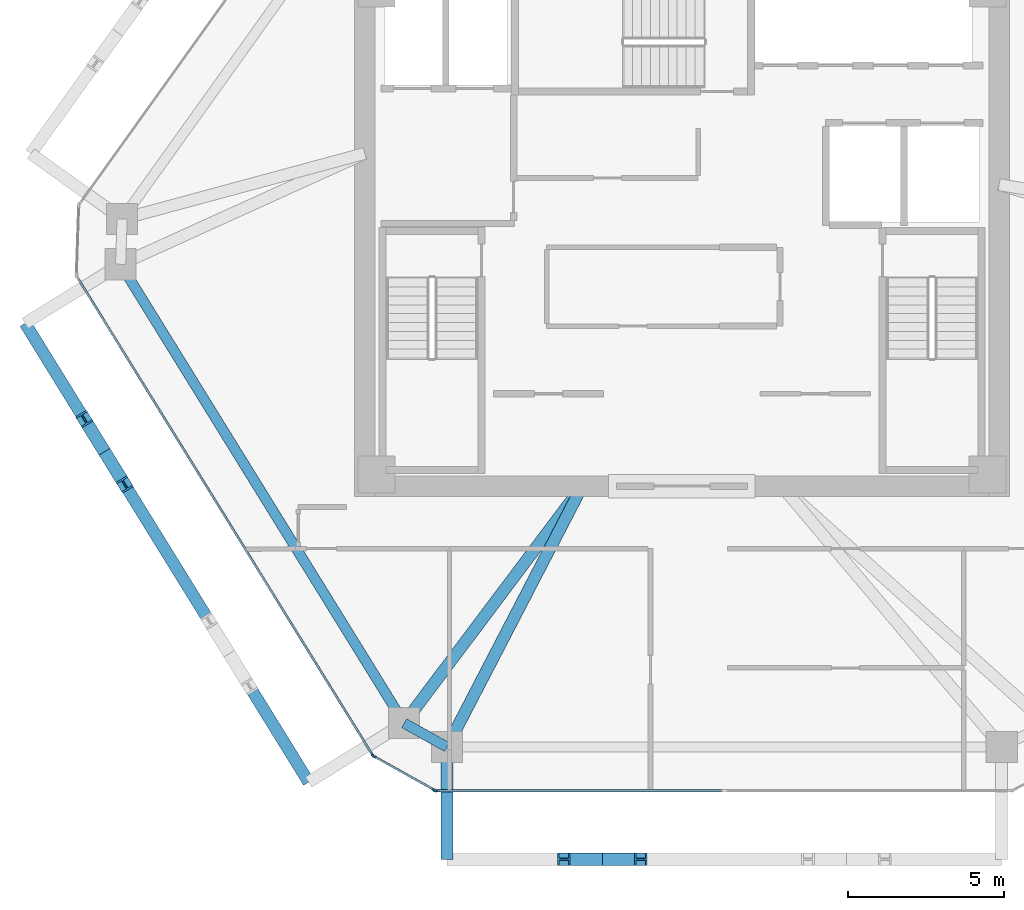
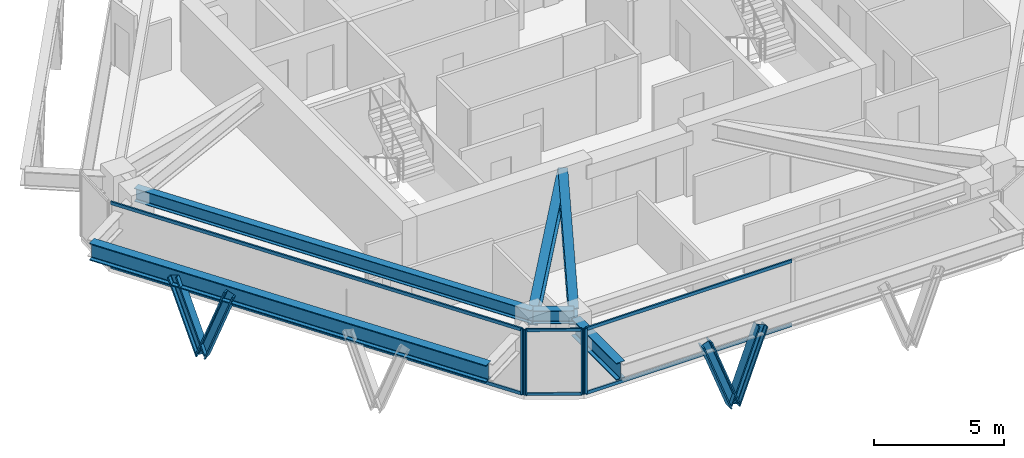
# One storey, part 2 of 11: 14 members, 6 beams, 3 elements without a shape of their own.
"""IFC4 building model written with IfcOpenShell, lengths in metres."""

from ifc_helpers import new_model, si_unit, direction, frame, origin, origin_2d, place, context, subcontext, project, spatial, rectangle, i_section, extrude, source, transform, mapped, material, layer, layer_set, material_profile, profile_set, type_object, type_shapes, element, aggregate, save


model = new_model("IFC4")

# Units and contexts
model_context = context("Model", 3, precision=1e-05, world=origin(), true_north=direction((0.0, 1.0)))
body_context = subcontext(model_context, "Body", "Model", "MODEL_VIEW")
ifc_project = project(units=[si_unit("LENGTHUNIT", "METRE"), si_unit("AREAUNIT", "SQUARE_METRE"), si_unit("VOLUMEUNIT", "CUBIC_METRE"), si_unit("PLANEANGLEUNIT", "RADIAN"), si_unit("MASSUNIT", "GRAM", prefix="KILO")], contexts=[model_context])

# Site, building, storey
site_placement = place(None, origin())
site = spatial("IfcSite", under=ifc_project, at=site_placement, CompositionType="ELEMENT")
building_placement = place(site_placement, origin())
building = spatial("IfcBuilding", under=site, at=building_placement, Name="Durnholm Broadcast Tower", CompositionType="ELEMENT")
storey_placement = place(building_placement, frame((0.0, 0.0, 196.89990234375)))
storey = spatial("IfcBuildingStorey", under=building, at=storey_placement, Name="L54", CompositionType="ELEMENT", Elevation=196.89990234375)

# Beams
ifc_material_1 = material(Name="Steel ASTM A992 Grade 50", Category="steel")
ifc_material_profile_1 = material_profile(ifc_material_1, i_section(OverallWidth=0.385009765625, OverallDepth=0.802978515625, WebThickness=0.023681640625, FlangeThickness=0.0419921875, FilletRadius=0.032958984375, at=origin_2d()), Name="W30X261")
ifc_profile_set_1 = profile_set([ifc_material_profile_1], Name="Steel ASTM A992 Grade 50")
beam_type_1 = type_object("IfcBeamType", Name="BM-EXO-TIE", PredefinedType="USERDEFINED", material=ifc_profile_set_1)
shared_shape_1 = source(origin(), body_context, "Body", "SweptSolid", [
    extrude(i_section(OverallWidth=0.385009765625, OverallDepth=0.802978515625, WebThickness=0.023681640625, FlangeThickness=0.0419921875, FilletRadius=0.032958984375, at=origin_2d()), origin(), (0.0, 0.0, 1.0), 3.4560546875),
])
beam_1_placement = place(storey_placement, frame((-7.53955078125, -16.68603515625, 2.30859375), z_axis=(0.0, -1.0, 0.0), x_axis=(1.0, 0.0, 0.0)))
element("IfcBeam", 1, at=beam_1_placement, inside=storey, type_object=beam_type_1, Name="L54 exoskeleton stand-off tie bracket F1.1", ObjectType="GIRDER", PredefinedType="USERDEFINED", context=body_context, shape_type="MappedRepresentation", body=[
    mapped(shared_shape_1, transform((0.0, 0.0, 0.0), x_axis=(1.0, 0.0, 0.0), y_axis=(0.0, 1.0, 0.0), z_axis=(0.0, 0.0, 1.0), scale=1.0)),
])
ifc_material_profile_2 = material_profile(ifc_material_1, i_section(OverallWidth=0.3251953125, OverallDepth=0.6162109375, WebThickness=0.013916015625, FlangeThickness=0.021484375, FilletRadius=0.02783203125, at=origin_2d()), Name="W24X117")
ifc_profile_set_2 = profile_set([ifc_material_profile_2], Name="Steel ASTM A992 Grade 50")
beam_type_2 = type_object("IfcBeamType", Name="STL-SP-W24X117", PredefinedType="SPANDREL", material=ifc_profile_set_2)
shared_shape_2 = source(origin(), body_context, "Body", "SweptSolid", [
    extrude(i_section(OverallWidth=0.3251953125, OverallDepth=0.6162109375, WebThickness=0.013916015625, FlangeThickness=0.021484375, FilletRadius=0.02783203125, at=origin_2d()), origin(), (0.0, 0.0, 1.0), 17.3037109375),
])
beam_2_placement = place(storey_placement, frame((-8.91259765625, -15.7763671875, 2.737060546875), z_axis=(-0.525695324718, 0.850672925142, 0.0), x_axis=(-0.850672925142, -0.525695324718, 0.0)))
element("IfcBeam", 2, at=beam_2_placement, inside=storey, type_object=beam_type_2, Name="L54 perimeter spandrel girder 01", PredefinedType="SPANDREL", context=body_context, shape_type="MappedRepresentation", body=[
    mapped(shared_shape_2, transform((0.0, 0.0, 0.0), x_axis=(1.0, 0.0, 0.0), y_axis=(0.0, 1.0, 0.0), z_axis=(0.0, 0.0, 1.0), scale=1.0)),
])
shared_shape_3 = source(origin(), body_context, "Body", "SweptSolid", [
    extrude(i_section(OverallWidth=0.3251953125, OverallDepth=0.6162109375, WebThickness=0.013916015625, FlangeThickness=0.021484375, FilletRadius=0.02783203125, at=origin_2d()), origin(), (0.0, 0.0, 1.0), 1.572021484375),
])
type_shapes(beam_type_2, [shared_shape_2, shared_shape_3])
beam_3_placement = place(storey_placement, frame((-7.53955078125, -16.5419921875, 2.737060546875), z_axis=(-0.873394362663, 0.487013641769, 0.0), x_axis=(-0.487013641769, -0.873394362663, 0.0)))
element("IfcBeam", 3, at=beam_3_placement, inside=storey, type_object=beam_type_2, Name="L54 perimeter spandrel girder 12", PredefinedType="SPANDREL", context=body_context, shape_type="MappedRepresentation", body=[
    mapped(shared_shape_3, transform((0.0, 0.0, 0.0), x_axis=(1.0, 0.0, 0.0), y_axis=(0.0, 1.0, 0.0), z_axis=(0.0, 0.0, 1.0), scale=1.0)),
])
shared_shape_4 = source(origin(), body_context, "Body", "SweptSolid", [
    extrude(i_section(OverallWidth=0.385009765625, OverallDepth=0.802978515625, WebThickness=0.023681640625, FlangeThickness=0.0419921875, FilletRadius=0.032958984375, at=origin_2d()), origin(), (0.0, 0.0, 1.0), 17.303466796875),
])
type_shapes(beam_type_1, [shared_shape_1, shared_shape_4])
beam_4_placement = place(storey_placement, frame((-21.071533203125, -2.94921875, 2.30859375), z_axis=(0.525701634347, -0.850669025911, 0.0), x_axis=(0.850669025911, 0.525701634347, 0.0)))
element("IfcBeam", 4, at=beam_4_placement, inside=storey, type_object=beam_type_1, Name="L54 exoskeleton collector spandrel F6", PredefinedType="SPANDREL", context=body_context, shape_type="MappedRepresentation", body=[
    mapped(shared_shape_4, transform((0.0, 0.0, 0.0), x_axis=(1.0, 0.0, 0.0), y_axis=(0.0, 1.0, 0.0), z_axis=(0.0, 0.0, 1.0), scale=1.0)),
])
ifc_material_profile_3 = material_profile(ifc_material_1, i_section(OverallWidth=0.380615234375, OverallDepth=0.773193359375, WebThickness=0.0166015625, FlangeThickness=0.027099609375, FilletRadius=0.032958984375, at=origin_2d()), Name="W30X173")
ifc_profile_set_3 = profile_set([ifc_material_profile_3], Name="Steel ASTM A992 Grade 50")
beam_type_3 = type_object("IfcBeamType", Name="STL-GR-W30X173", PredefinedType="USERDEFINED", material=ifc_profile_set_3)
shared_shape_5 = source(origin(), body_context, "Body", "SweptSolid", [
    extrude(i_section(OverallWidth=0.380615234375, OverallDepth=0.773193359375, WebThickness=0.0166015625, FlangeThickness=0.027099609375, FilletRadius=0.032958984375, at=origin_2d()), origin(), (0.0, 0.0, 1.0), 9.508544921875),
])
beam_5_placement = place(storey_placement, frame((-3.199951171875, -8.175048828125, 2.658447265625), z_axis=(-0.600784359039, -0.799411129479, 0.0), x_axis=(0.799411129479, -0.600784359039, 0.0)))
element("IfcBeam", 5, at=beam_5_placement, inside=storey, type_object=beam_type_3, Name="L54 radial primary floor girder 01", ObjectType="GIRDER", PredefinedType="USERDEFINED", context=body_context, shape_type="MappedRepresentation", body=[
    mapped(shared_shape_5, transform((0.0, 0.0, 0.0), x_axis=(1.0, 0.0, 0.0), y_axis=(0.0, 1.0, 0.0), z_axis=(0.0, 0.0, 1.0), scale=1.0)),
])
shared_shape_6 = source(origin(), body_context, "Body", "SweptSolid", [
    extrude(i_section(OverallWidth=0.380615234375, OverallDepth=0.773193359375, WebThickness=0.0166015625, FlangeThickness=0.027099609375, FilletRadius=0.032958984375, at=origin_2d()), origin(), (0.0, 0.0, 1.0), 9.42529296875),
])
type_shapes(beam_type_3, [shared_shape_5, shared_shape_6])
beam_6_placement = place(storey_placement, frame((-3.199951171875, -8.175048828125, 2.658447265625), z_axis=(-0.460416206992, -0.887703169048, 0.0), x_axis=(0.887703169048, -0.460416206992, 0.0)))
element("IfcBeam", 6, at=beam_6_placement, inside=storey, type_object=beam_type_3, Name="L54 radial primary floor girder 12", ObjectType="GIRDER", PredefinedType="USERDEFINED", context=body_context, shape_type="MappedRepresentation", body=[
    mapped(shared_shape_6, transform((0.0, 0.0, 0.0), x_axis=(1.0, 0.0, 0.0), y_axis=(0.0, 1.0, 0.0), z_axis=(0.0, 0.0, 1.0), scale=1.0)),
])

# Members
ifc_material_2 = material(Name="Steel ASTM A913 Grade 65", Category="steel")
ifc_material_profile_4 = material_profile(ifc_material_2, i_section(OverallWidth=0.412109375, OverallDepth=0.434814453125, WebThickness=0.035888671875, FlangeThickness=0.057373046875, FilletRadius=0.030517578125, at=origin_2d()), Name="W14X311")
ifc_profile_set_4 = profile_set([ifc_material_profile_4], Name="Steel ASTM A913 Grade 65")
member_type_1 = type_object("IfcMemberType", Name="STL-DG-W14X311", PredefinedType="BRACE", material=ifc_profile_set_4)
shared_shape_7 = source(origin(), body_context, "Body", "SweptSolid", [
    extrude(i_section(OverallWidth=0.412109375, OverallDepth=0.434814453125, WebThickness=0.035888671875, FlangeThickness=0.057373046875, FilletRadius=0.030517578125, at=origin_2d()), origin(), (0.0, 0.0, 1.0), 3.523193359375),
])
type_shapes(member_type_1, [shared_shape_7])
for number, where, z_axis, x_axis, name in (
    (7, (-2.556640625, -20.14208984375, -0.991455078125), (-0.350158790071, 0.0, 0.936690355313), (0.0, -1.0, 0.0), "L54 stand-off diagrid brace F1.D1.1"),
    (8, (-2.556640625, -20.14208984375, -0.991455078125), (0.350219588454, 0.0, 0.936667625075), (0.0, 1.0, 0.0), "L54 stand-off diagrid brace F1.D1.2"),
    (9, (-18.5244140625, -7.07080078125, -0.991455078125), (-0.18411903749, 0.297902800967, 0.936671821509), (-0.850644447398, -0.525741404219, 0.0), "L54 stand-off diagrid brace F6.D1.1"),
    (10, (-18.5244140625, -7.07080078125, -0.991455078125), (0.184052089489, -0.297906601172, 0.936683770188), (0.850732935913, 0.525598203719, 0.0), "L54 stand-off diagrid brace F6.D1.2"),
):
    element("IfcMember", number, at=place(storey_placement, frame(where, z_axis=z_axis, x_axis=x_axis)), inside=storey, type_object=member_type_1, Name=name, PredefinedType="BRACE", context=body_context, shape_type="MappedRepresentation", body=[
        mapped(shared_shape_7, transform((0.0, 0.0, 0.0), x_axis=(1.0, 0.0, 0.0), y_axis=(0.0, 1.0, 0.0), z_axis=(0.0, 0.0, 1.0), scale=1.0)),
    ])

# Curtain wall, members
ifc_material_3 = material(Name="Aluminium and Solar Control IGU", Category="aluminium")
ifc_layer_1 = layer(ifc_material_3, 0.1650390625)
ifc_layer_set_1 = layer_set([ifc_layer_1], Name="Aluminium and Solar Control IGU")
curtain_wall_type_1 = type_object("IfcCurtainWallType", Name="CW-SYS-5", PredefinedType="NOTDEFINED", material=ifc_layer_set_1)
curtain_wall_1_placement = place(storey_placement, origin())
curtain_wall_1 = element("IfcCurtainWall", 11, at=curtain_wall_1_placement, inside=storey, type_object=curtain_wall_type_1, Name="L54 curtain wall CW-CORNER CW-L54-CRN-11", PredefinedType="NOTDEFINED")
ifc_material_4 = material(Name="Aluminium 6063-T6", Category="aluminium")
ifc_material_profile_5 = material_profile(ifc_material_4, rectangle(XDim=0.06494140625, YDim=0.1650390625, at=origin_2d()), Name="CWM65X165")
ifc_profile_set_5 = profile_set([ifc_material_profile_5], Name="Aluminium 6063-T6")
member_type_2 = type_object("IfcMemberType", Name="CW-SYS-5-MUL", PredefinedType="MULLION", material=ifc_profile_set_5)
shared_shape_8 = source(origin(), body_context, "Body", "SweptSolid", [
    extrude(rectangle(XDim=0.06494140625, YDim=0.1650390625, at=origin_2d()), origin(), (0.0, 0.0, 1.0), 3.06005859375),
])
type_shapes(member_type_2, [shared_shape_8])
member_1_placement = place(storey_placement, frame((-7.931884765625, -17.92626953125, 0.0), z_axis=(0.0, 0.0, 1.0), x_axis=(-0.486986043316, -0.873409751271, 0.0)))
member_1 = element("IfcMember", 12, at=member_1_placement, type_object=member_type_2, Name="CW-CORNER mullion 1", PredefinedType="MULLION", context=body_context, shape_type="MappedRepresentation", body=[
    mapped(shared_shape_8, transform((0.0, 0.0, 0.0), x_axis=(1.0, 0.0, 0.0), y_axis=(0.0, 1.0, 0.0), z_axis=(0.0, 0.0, 1.0), scale=1.0)),
])
member_2_placement = place(storey_placement, frame((-9.884033203125, -16.837646484375, 0.0), z_axis=(0.0, 0.0, 1.0), x_axis=(-0.486986043316, -0.873409751271, 0.0)))
member_2 = element("IfcMember", 13, at=member_2_placement, type_object=member_type_2, Name="CW-CORNER mullion 2", PredefinedType="MULLION", context=body_context, shape_type="MappedRepresentation", body=[
    mapped(shared_shape_8, transform((0.0, 0.0, 0.0), x_axis=(1.0, 0.0, 0.0), y_axis=(0.0, 1.0, 0.0), z_axis=(0.0, 0.0, 1.0), scale=1.0)),
])
ifc_material_profile_6 = material_profile(ifc_material_4, rectangle(XDim=0.06494140625, YDim=0.1298828125, at=origin_2d()), Name="CWT65X130")
ifc_profile_set_6 = profile_set([ifc_material_profile_6], Name="Aluminium 6063-T6")
member_type_3 = type_object("IfcMemberType", Name="CW-SYS-5-TRN", PredefinedType="USERDEFINED", material=ifc_profile_set_6)
shared_shape_9 = source(origin(), body_context, "Body", "SweptSolid", [
    extrude(rectangle(XDim=0.06494140625, YDim=0.1298828125, at=origin_2d()), origin(), (0.0, 0.0, 1.0), 2.169921875),
])
type_shapes(member_type_3, [shared_shape_9])
member_3_placement = place(storey_placement, frame((-7.960205078125, -17.910400390625, 0.03271484375), z_axis=(-0.873381360539, 0.487036958621, 0.0), x_axis=(-0.487036958621, -0.873381360539, 0.0)))
member_3 = element("IfcMember", 14, at=member_3_placement, type_object=member_type_3, Name="CW-CORNER transom 1.1", ObjectType="TRANSOM", PredefinedType="USERDEFINED", context=body_context, shape_type="MappedRepresentation", body=[
    mapped(shared_shape_9, transform((0.0, 0.0, 0.0), x_axis=(1.0, 0.0, 0.0), y_axis=(0.0, 1.0, 0.0), z_axis=(0.0, 0.0, 1.0), scale=1.0)),
])
member_4_placement = place(storey_placement, frame((-7.960205078125, -17.910400390625, 3.027587890625), z_axis=(-0.873381360539, 0.487036958621, 0.0), x_axis=(-0.487036958621, -0.873381360539, 0.0)))
member_4 = element("IfcMember", 15, at=member_4_placement, type_object=member_type_3, Name="CW-CORNER transom 1.2", ObjectType="TRANSOM", PredefinedType="USERDEFINED", context=body_context, shape_type="MappedRepresentation", body=[
    mapped(shared_shape_9, transform((0.0, 0.0, 0.0), x_axis=(1.0, 0.0, 0.0), y_axis=(0.0, 1.0, 0.0), z_axis=(0.0, 0.0, 1.0), scale=1.0)),
])
aggregate(curtain_wall_1, [member_1, member_2, member_3, member_4])

ifc_layer_2 = layer(ifc_material_3, 0.18994140625)
ifc_layer_set_2 = layer_set([ifc_layer_2], Name="Aluminium and Solar Control IGU")
curtain_wall_type_2 = type_object("IfcCurtainWallType", Name="CW-SYS-4", PredefinedType="NOTDEFINED", material=ifc_layer_set_2)
curtain_wall_2_placement = place(storey_placement, origin())
curtain_wall_2 = element("IfcCurtainWall", 16, at=curtain_wall_2_placement, inside=storey, type_object=curtain_wall_type_2, Name="L54 curtain wall CW-Z34-VIS CW-L54-F10", PredefinedType="NOTDEFINED")
ifc_material_profile_7 = material_profile(ifc_material_4, rectangle(XDim=0.070068359375, YDim=0.14990234375, at=origin_2d()), Name="CWT70X150")
ifc_profile_set_7 = profile_set([ifc_material_profile_7], Name="Aluminium 6063-T6")
member_type_4 = type_object("IfcMemberType", Name="CW-SYS-4-TRN", PredefinedType="USERDEFINED", material=ifc_profile_set_7)
shared_shape_10 = source(origin(), body_context, "Body", "SweptSolid", [
    extrude(rectangle(XDim=0.070068359375, YDim=0.14990234375, at=origin_2d()), origin(), (0.0, 0.0, 1.0), 9.14453125),
])
member_5_placement = place(storey_placement, frame((1.31103515625, -17.94189453125, 0.03515625), z_axis=(-1.0, 0.0, 0.0), x_axis=(0.0, -1.0, 0.0)))
member_5 = element("IfcMember", 17, at=member_5_placement, type_object=member_type_4, Name="CW-Z34-VIS transom 2.1", ObjectType="TRANSOM", PredefinedType="USERDEFINED", context=body_context, shape_type="MappedRepresentation", body=[
    mapped(shared_shape_10, transform((0.0, 0.0, 0.0), x_axis=(1.0, 0.0, 0.0), y_axis=(0.0, 1.0, 0.0), z_axis=(0.0, 0.0, 1.0), scale=1.0)),
])
member_6_placement = place(storey_placement, frame((1.31103515625, -17.94189453125, 3.025146484375), z_axis=(-1.0, 0.0, 0.0), x_axis=(0.0, -1.0, 0.0)))
member_6 = element("IfcMember", 18, at=member_6_placement, type_object=member_type_4, Name="CW-Z34-VIS transom 2.2", ObjectType="TRANSOM", PredefinedType="USERDEFINED", context=body_context, shape_type="MappedRepresentation", body=[
    mapped(shared_shape_10, transform((0.0, 0.0, 0.0), x_axis=(1.0, 0.0, 0.0), y_axis=(0.0, 1.0, 0.0), z_axis=(0.0, 0.0, 1.0), scale=1.0)),
])

curtain_wall_3_placement = place(storey_placement, origin())
curtain_wall_3 = element("IfcCurtainWall", 19, at=curtain_wall_3_placement, inside=storey, type_object=curtain_wall_type_2, Name="L54 curtain wall CW-Z34-VIS CW-L54-F12", PredefinedType="NOTDEFINED")
shared_shape_11 = source(origin(), body_context, "Body", "SweptSolid", [
    extrude(rectangle(XDim=0.070068359375, YDim=0.14990234375, at=origin_2d()), origin(), (0.0, 0.0, 1.0), 17.951171875),
])
type_shapes(member_type_4, [shared_shape_10, shared_shape_11])
member_7_placement = place(storey_placement, frame((-9.94921875, -16.762451171875, 0.03515625), z_axis=(-0.525693813807, 0.850673858847, 0.0), x_axis=(-0.850673858847, -0.525693813807, 0.0)))
member_7 = element("IfcMember", 20, at=member_7_placement, type_object=member_type_4, Name="CW-Z34-VIS transom 1.1", ObjectType="TRANSOM", PredefinedType="USERDEFINED", context=body_context, shape_type="MappedRepresentation", body=[
    mapped(shared_shape_11, transform((0.0, 0.0, 0.0), x_axis=(1.0, 0.0, 0.0), y_axis=(0.0, 1.0, 0.0), z_axis=(0.0, 0.0, 1.0), scale=1.0)),
])
member_8_placement = place(storey_placement, frame((-9.94921875, -16.762451171875, 3.025146484375), z_axis=(-0.525693813807, 0.850673858847, 0.0), x_axis=(-0.850673858847, -0.525693813807, 0.0)))
member_8 = element("IfcMember", 21, at=member_8_placement, type_object=member_type_4, Name="CW-Z34-VIS transom 1.2", ObjectType="TRANSOM", PredefinedType="USERDEFINED", context=body_context, shape_type="MappedRepresentation", body=[
    mapped(shared_shape_11, transform((0.0, 0.0, 0.0), x_axis=(1.0, 0.0, 0.0), y_axis=(0.0, 1.0, 0.0), z_axis=(0.0, 0.0, 1.0), scale=1.0)),
])

# Member
ifc_material_profile_8 = material_profile(ifc_material_4, rectangle(XDim=0.070068359375, YDim=0.18994140625, at=origin_2d()), Name="CWM70X190")
ifc_profile_set_8 = profile_set([ifc_material_profile_8], Name="Aluminium 6063-T6")
member_type_5 = type_object("IfcMemberType", Name="CW-SYS-4-MUL", PredefinedType="MULLION", material=ifc_profile_set_8)
shared_shape_12 = source(origin(), body_context, "Body", "SweptSolid", [
    extrude(rectangle(XDim=0.070068359375, YDim=0.18994140625, at=origin_2d()), origin(), (0.0, 0.0, 1.0), 3.06005859375),
])
type_shapes(member_type_5, [shared_shape_12])
member_9_placement = place(storey_placement, frame((-7.868408203125, -17.94189453125, 0.0), z_axis=(0.0, 0.0, 1.0), x_axis=(0.0, -1.0, 0.0)))
member_9 = element("IfcMember", 22, at=member_9_placement, type_object=member_type_5, Name="CW-Z34-VIS mullion 3", PredefinedType="MULLION", context=body_context, shape_type="MappedRepresentation", body=[
    mapped(shared_shape_12, transform((0.0, 0.0, 0.0), x_axis=(1.0, 0.0, 0.0), y_axis=(0.0, 1.0, 0.0), z_axis=(0.0, 0.0, 1.0), scale=1.0)),
])

aggregate(curtain_wall_2, [member_9, member_5, member_6])

member_10_placement = place(storey_placement, frame((-9.9306640625, -16.792236328125, 0.0), z_axis=(0.0, 0.0, 1.0), x_axis=(-0.850671426092, -0.525697750452, 0.0)))
member_10 = element("IfcMember", 23, at=member_10_placement, type_object=member_type_5, Name="CW-Z34-VIS mullion 1", PredefinedType="MULLION", context=body_context, shape_type="MappedRepresentation", body=[
    mapped(shared_shape_12, transform((0.0, 0.0, 0.0), x_axis=(1.0, 0.0, 0.0), y_axis=(0.0, 1.0, 0.0), z_axis=(0.0, 0.0, 1.0), scale=1.0)),
])

aggregate(curtain_wall_3, [member_10, member_7, member_8])

save(model, "model.ifc")
